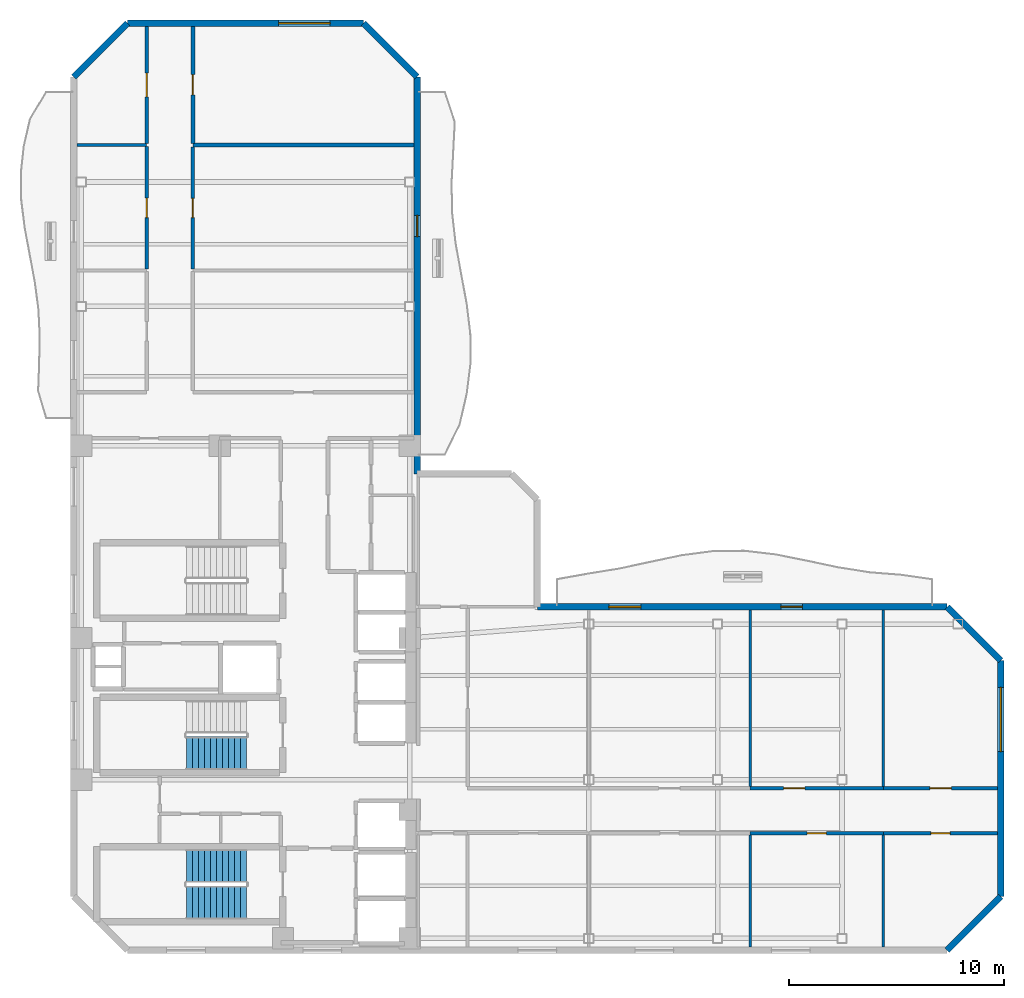
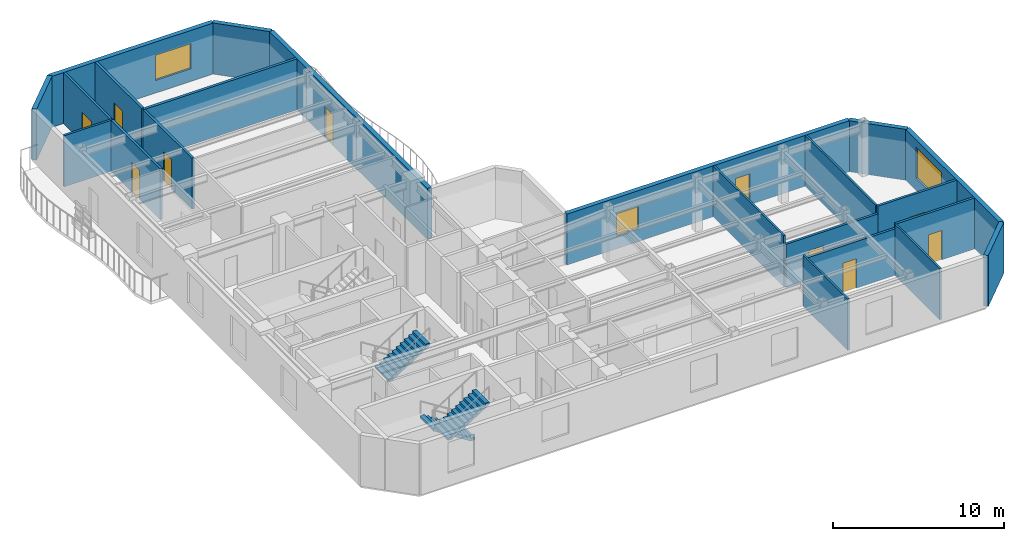
# One storey, part 5 of 9: 22 walls, 10 doors, 3 stair flights, 3 windows, 13 openings, 2 elements without a shape of their own.
"""IFC4 building model written with IfcOpenShell, lengths in metres."""

from ifc_helpers import new_model, si_unit, direction, frame, frame_2d, origin, place, context, subcontext, project, spatial, polyline, rectangle, outline, extrude, material, layer, layer_set, type_object, element, fill, aggregate, save


model = new_model("IFC4")

# Units and contexts
model_context = context("Model", 3, precision=1e-05, world=origin(), true_north=direction((0.0, 1.0)))
body_context = subcontext(model_context, "Body", "Model", "MODEL_VIEW")
ifc_project = project(units=[si_unit("LENGTHUNIT", "METRE"), si_unit("AREAUNIT", "SQUARE_METRE"), si_unit("VOLUMEUNIT", "CUBIC_METRE"), si_unit("PLANEANGLEUNIT", "RADIAN"), si_unit("MASSUNIT", "GRAM", prefix="KILO")], contexts=[model_context])

# Site, building, storey
site_placement = place(None, origin())
site = spatial("IfcSite", under=ifc_project, at=site_placement, CompositionType="ELEMENT")
building_placement = place(site_placement, origin())
building = spatial("IfcBuilding", under=site, at=building_placement, Name="Mawjaban Terraces University", CompositionType="ELEMENT")
storey_placement = place(building_placement, frame((0.0, 0.0, 234.300048828125)))
storey = spatial("IfcBuildingStorey", under=building, at=storey_placement, Name="L57", CompositionType="ELEMENT", Elevation=234.300048828125)

# Wall
ifc_material_1 = material(Name="Acoustic masonry blockwork", Category="masonry")
ifc_layer_1 = layer(ifc_material_1, 0.179931640625)
ifc_layer_set_1 = layer_set([ifc_layer_1], Name="Acoustic masonry blockwork")
wall_type_1 = type_object("IfcWallType", Name="AcousticStudioWall_180", PredefinedType="PARTITIONING", material=ifc_layer_set_1)
wall_1_placement = place(storey_placement, frame((37.85009765625, 37.52001953125, 0.0), z_axis=(0.0, 0.0, 1.0), x_axis=(-1.0, 0.0, 0.0)))
element("IfcWall", 1, at=wall_1_placement, inside=storey, type_object=wall_type_1, Name="L57 Reading Salon 13 Partition 18", PredefinedType="PARTITIONING", context=body_context, shape_type="SweptSolid", body=[
    extrude(rectangle(XDim=10.300048828125, YDim=0.179931640625, at=frame_2d((5.14990234375, 0.0))), origin(), (0.0, 0.0, 1.0), 3.639892578125),
])

# Wall, opening, door
wall_2_placement = place(storey_placement, frame((27.550048828125, 37.60498046875, 0.0), z_axis=(0.0, 0.0, 1.0), x_axis=(0.0, 1.0, 0.0)))
wall_2 = element("IfcWall", 2, at=wall_2_placement, inside=storey, type_object=wall_type_1, Name="L57 West Shifted Academic Corridor Partition 38", PredefinedType="PARTITIONING", context=body_context, shape_type="SweptSolid", body=[
    extrude(rectangle(XDim=5.449951171875, YDim=0.179931640625, at=frame_2d((2.72509765625, 0.0))), origin(), (0.0, 0.0, 1.0), 3.639892578125),
])
opening_1_placement = place(wall_2_placement, frame((2.25, 0.0, 0.0)))
opening_1 = element("IfcOpeningElement", 3, at=opening_1_placement, cuts=wall_2, Name="Opening ID-095", PredefinedType="OPENING", context=body_context, shape_type="SweptSolid", body=[
    extrude(rectangle(XDim=0.949951171875, YDim=2.10009765625, at=frame_2d((0.47509765625, 1.050048828125))), frame((0.0, 0.099853515625, 0.0), z_axis=(0.0, -1.0, 0.0), x_axis=(1.0, 0.0, 0.0)), (0.0, 0.0, 1.0), 0.199951171875),
])
ifc_material_2 = material(Name="Powder-coated steel frame and solid acoustic timber leaf", Category="steel")
door_type_1 = type_object("IfcDoorType", Name="StudioDoor_950x2100", OperationType="NOTDEFINED", PredefinedType="DOOR", material=ifc_material_2)
door_1_placement = place(opening_1_placement, origin())
door_1 = element("IfcDoor", 4, at=door_1_placement, inside=storey, type_object=door_type_1, Name="L57 Design Studio 15 Door", OperationType="SINGLE_SWING_LEFT", OverallHeight=2.10009765625, OverallWidth=0.949951171875, PredefinedType="DOOR", context=body_context, shape_type="SweptSolid", body=[
    extrude(rectangle(XDim=0.949951171875, YDim=2.10009765625, at=frame_2d((0.47509765625, 1.050048828125))), frame((0.0, 0.02490234375, 0.0), z_axis=(0.0, -1.0, 0.0), x_axis=(1.0, 0.0, 0.0)), (0.0, 0.0, 1.0), 0.050048828125),
])
fill(opening_1, door_1)

ifc_material_3 = material(Name="Fire-rated gypsum board on steel stud", Category="steel")
ifc_layer_2 = layer(ifc_material_3, 0.159912109375)
ifc_layer_set_2 = layer_set([ifc_layer_2], Name="Fire-rated gypsum board on steel stud")
wall_type_2 = type_object("IfcWallType", Name="CorridorPartition_160", PredefinedType="PARTITIONING", material=ifc_layer_set_2)
wall_3_placement = place(storey_placement, frame((53.52001953125, 5.449951171875, 0.0), z_axis=(0.0, 0.0, 1.0), x_axis=(1.0, 0.0, 0.0)))
wall_3 = element("IfcWall", 5, at=wall_3_placement, inside=storey, type_object=wall_type_2, Name="L57 South Shifted Academic Corridor Partition 25", PredefinedType="PARTITIONING", context=body_context, shape_type="SweptSolid", body=[
    extrude(rectangle(XDim=6.2099609375, YDim=0.159912109375, at=frame_2d((3.10498046875, 0.0))), origin(), (0.0, 0.0, 1.0), 3.322021484375),
])
opening_2_placement = place(wall_3_placement, frame((2.655029296875, 0.0, 0.0)))
opening_2 = element("IfcOpeningElement", 6, at=opening_2_placement, cuts=wall_3, Name="Opening ID-090", PredefinedType="OPENING", context=body_context, shape_type="SweptSolid", body=[
    extrude(rectangle(XDim=0.89990234375, YDim=2.10009765625, at=frame_2d((0.449951171875, 1.050048828125))), frame((0.0, 0.08984375, 0.0), z_axis=(0.0, -1.0, 0.0), x_axis=(1.0, 0.0, 0.0)), (0.0, 0.0, 1.0), 0.179931640625),
])
door_type_2 = type_object("IfcDoorType", Name="OfficeDoor_900x2100", OperationType="NOTDEFINED", PredefinedType="DOOR", material=ifc_material_2)
door_2_placement = place(opening_2_placement, origin())
door_2 = element("IfcDoor", 7, at=door_2_placement, inside=storey, type_object=door_type_2, Name="L57 Conference Room 6 Door", OperationType="SINGLE_SWING_RIGHT", OverallHeight=2.10009765625, OverallWidth=0.89990234375, PredefinedType="DOOR", context=body_context, shape_type="SweptSolid", body=[
    extrude(rectangle(XDim=0.89990234375, YDim=2.10009765625, at=frame_2d((0.449951171875, 1.050048828125))), frame((0.0, 0.02490234375, 0.0), z_axis=(0.0, -1.0, 0.0), x_axis=(1.0, 0.0, 0.0)), (0.0, 0.0, 1.0), 0.050048828125),
])
fill(opening_2, door_2)

wall_4_placement = place(storey_placement, frame((59.72998046875, 5.449951171875, 0.0), z_axis=(0.0, 0.0, 1.0), x_axis=(1.0, 0.0, 0.0)))
wall_4 = element("IfcWall", 8, at=wall_4_placement, inside=storey, type_object=wall_type_2, Name="L57 South Shifted Academic Corridor Partition 27", PredefinedType="PARTITIONING", context=body_context, shape_type="SweptSolid", body=[
    extrude(rectangle(XDim=5.324951171875, YDim=0.159912109375, at=frame_2d((2.66259765625, 0.0))), origin(), (0.0, 0.0, 1.0), 3.639892578125),
])
opening_3_placement = place(wall_4_placement, frame((2.212890625, 0.0, 0.0)))
opening_3 = element("IfcOpeningElement", 9, at=opening_3_placement, cuts=wall_4, Name="Opening ID-090", PredefinedType="OPENING", context=body_context, shape_type="SweptSolid", body=[
    extrude(rectangle(XDim=0.89990234375, YDim=2.10009765625, at=frame_2d((0.449951171875, 1.050048828125))), frame((0.0, 0.08984375, 0.0), z_axis=(0.0, -1.0, 0.0), x_axis=(1.0, 0.0, 0.0)), (0.0, 0.0, 1.0), 0.179931640625),
])
door_3_placement = place(opening_3_placement, origin())
door_3 = element("IfcDoor", 10, at=door_3_placement, inside=storey, type_object=door_type_2, Name="L57 Seminar Room 8 Door", OperationType="SINGLE_SWING_RIGHT", OverallHeight=2.10009765625, OverallWidth=0.89990234375, PredefinedType="DOOR", context=body_context, shape_type="SweptSolid", body=[
    extrude(rectangle(XDim=0.89990234375, YDim=2.10009765625, at=frame_2d((0.449951171875, 1.050048828125))), frame((0.0, 0.02490234375, 0.0), z_axis=(0.0, -1.0, 0.0), x_axis=(1.0, 0.0, 0.0)), (0.0, 0.0, 1.0), 0.050048828125),
])
fill(opening_3, door_3)

wall_5_placement = place(storey_placement, frame((59.72998046875, 7.550048828125, 0.0), z_axis=(0.0, 0.0, 1.0), x_axis=(-1.0, 0.0, 0.0)))
wall_5 = element("IfcWall", 11, at=wall_5_placement, inside=storey, type_object=wall_type_2, Name="L57 South Shifted Academic Corridor Partition 28", PredefinedType="PARTITIONING", context=body_context, shape_type="SweptSolid", body=[
    extrude(rectangle(XDim=6.2099609375, YDim=0.159912109375, at=frame_2d((3.10498046875, 0.0))), origin(), (0.0, 0.0, 1.0), 3.095947265625),
])
opening_4_placement = place(wall_5_placement, frame((3.655029296875, 0.0, 0.0)))
opening_4 = element("IfcOpeningElement", 12, at=opening_4_placement, cuts=wall_5, Name="Opening ID-100", PredefinedType="OPENING", context=body_context, shape_type="SweptSolid", body=[
    extrude(rectangle(XDim=1.0, YDim=2.10009765625, at=frame_2d((0.5, 1.050048828125))), frame((0.0, 0.08984375, 0.0), z_axis=(0.0, -1.0, 0.0), x_axis=(1.0, 0.0, 0.0)), (0.0, 0.0, 1.0), 0.179931640625),
])
door_type_3 = type_object("IfcDoorType", Name="ClassroomDoor_1000x2100", OperationType="NOTDEFINED", PredefinedType="DOOR", material=ifc_material_2)
door_4_placement = place(opening_4_placement, origin())
door_4 = element("IfcDoor", 13, at=door_4_placement, inside=storey, type_object=door_type_3, Name="L57 Classroom 7 Door", OperationType="SINGLE_SWING_LEFT", OverallHeight=2.10009765625, OverallWidth=1.0, PredefinedType="DOOR", context=body_context, shape_type="SweptSolid", body=[
    extrude(rectangle(XDim=1.0, YDim=2.10009765625, at=frame_2d((0.5, 1.050048828125))), frame((0.0, 0.02490234375, 0.0), z_axis=(0.0, -1.0, 0.0), x_axis=(1.0, 0.0, 0.0)), (0.0, 0.0, 1.0), 0.050048828125),
])
fill(opening_4, door_4)

wall_6_placement = place(storey_placement, frame((65.054931640625, 7.550048828125, 0.0), z_axis=(0.0, 0.0, 1.0), x_axis=(-1.0, 0.0, 0.0)))
wall_6 = element("IfcWall", 14, at=wall_6_placement, inside=storey, type_object=wall_type_2, Name="L57 South Shifted Academic Corridor Partition 29", PredefinedType="PARTITIONING", context=body_context, shape_type="SweptSolid", body=[
    extrude(rectangle(XDim=5.324951171875, YDim=0.159912109375, at=frame_2d((2.66259765625, 0.0))), origin(), (0.0, 0.0, 1.0), 3.639892578125),
])
opening_5_placement = place(wall_6_placement, frame((2.1630859375, 0.0, 0.0)))
opening_5 = element("IfcOpeningElement", 15, at=opening_5_placement, cuts=wall_6, Name="Opening ID-100", PredefinedType="OPENING", context=body_context, shape_type="SweptSolid", body=[
    extrude(rectangle(XDim=1.0, YDim=2.10009765625, at=frame_2d((0.5, 1.050048828125))), frame((0.0, 0.08984375, 0.0), z_axis=(0.0, -1.0, 0.0), x_axis=(1.0, 0.0, 0.0)), (0.0, 0.0, 1.0), 0.179931640625),
])
door_5_placement = place(opening_5_placement, origin())
door_5 = element("IfcDoor", 16, at=door_5_placement, inside=storey, type_object=door_type_3, Name="L57 Tutorial Room 9 Door", OperationType="SINGLE_SWING_LEFT", OverallHeight=2.10009765625, OverallWidth=1.0, PredefinedType="DOOR", context=body_context, shape_type="SweptSolid", body=[
    extrude(rectangle(XDim=1.0, YDim=2.10009765625, at=frame_2d((0.5, 1.050048828125))), frame((0.0, 0.02490234375, 0.0), z_axis=(0.0, -1.0, 0.0), x_axis=(1.0, 0.0, 0.0)), (0.0, 0.0, 1.0), 0.050048828125),
])
fill(opening_5, door_5)

wall_7_placement = place(storey_placement, frame((25.39990234375, 37.452880859375, 0.0), z_axis=(0.0, 0.0, 1.0), x_axis=(0.0, -1.0, 0.0)))
wall_7 = element("IfcWall", 17, at=wall_7_placement, inside=storey, type_object=wall_type_2, Name="L57 West Shifted Academic Corridor Partition 32", PredefinedType="PARTITIONING", context=body_context, shape_type="SweptSolid", body=[
    extrude(rectangle(XDim=5.71484375, YDim=0.159912109375, at=frame_2d((2.857421875, 0.0))), origin(), (0.0, 0.0, 1.0), 3.639892578125),
])
opening_6_placement = place(wall_7_placement, frame((2.407958984375, 0.0, 0.0)))
opening_6 = element("IfcOpeningElement", 18, at=opening_6_placement, cuts=wall_7, Name="Opening ID-090", PredefinedType="OPENING", context=body_context, shape_type="SweptSolid", body=[
    extrude(rectangle(XDim=0.89990234375, YDim=2.10009765625, at=frame_2d((0.449951171875, 1.050048828125))), frame((0.0, 0.08984375, 0.0), z_axis=(0.0, -1.0, 0.0), x_axis=(1.0, 0.0, 0.0)), (0.0, 0.0, 1.0), 0.179931640625),
])
door_6_placement = place(opening_6_placement, origin())
door_6 = element("IfcDoor", 19, at=door_6_placement, inside=storey, type_object=door_type_2, Name="L57 Quiet Reading Room 12 Door", OperationType="SINGLE_SWING_RIGHT", OverallHeight=2.10009765625, OverallWidth=0.89990234375, PredefinedType="DOOR", context=body_context, shape_type="SweptSolid", body=[
    extrude(rectangle(XDim=0.89990234375, YDim=2.10009765625, at=frame_2d((0.449951171875, 1.050048828125))), frame((0.0, 0.02490234375, 0.0), z_axis=(0.0, -1.0, 0.0), x_axis=(1.0, 0.0, 0.0)), (0.0, 0.0, 1.0), 0.050048828125),
])
fill(opening_6, door_6)

wall_8_placement = place(storey_placement, frame((27.550048828125, 31.738037109375, 0.0), z_axis=(0.0, 0.0, 1.0), x_axis=(0.0, 1.0, 0.0)))
wall_8 = element("IfcWall", 20, at=wall_8_placement, inside=storey, type_object=wall_type_2, Name="L57 West Shifted Academic Corridor Partition 37", PredefinedType="PARTITIONING", context=body_context, shape_type="SweptSolid", body=[
    extrude(rectangle(XDim=5.697021484375, YDim=0.159912109375, at=frame_2d((2.8486328125, 0.0))), origin(), (0.0, 0.0, 1.0), 3.639892578125),
])
opening_7_placement = place(wall_8_placement, frame((2.39892578125, 0.0, 0.0)))
opening_7 = element("IfcOpeningElement", 21, at=opening_7_placement, cuts=wall_8, Name="Opening ID-090", PredefinedType="OPENING", context=body_context, shape_type="SweptSolid", body=[
    extrude(rectangle(XDim=0.89990234375, YDim=2.10009765625, at=frame_2d((0.449951171875, 1.050048828125))), frame((0.0, 0.08984375, 0.0), z_axis=(0.0, -1.0, 0.0), x_axis=(1.0, 0.0, 0.0)), (0.0, 0.0, 1.0), 0.179931640625),
])
door_7_placement = place(opening_7_placement, origin())
door_7 = element("IfcDoor", 22, at=door_7_placement, inside=storey, type_object=door_type_2, Name="L57 Reading Salon 13 Door", OperationType="SINGLE_SWING_LEFT", OverallHeight=2.10009765625, OverallWidth=0.89990234375, PredefinedType="DOOR", context=body_context, shape_type="SweptSolid", body=[
    extrude(rectangle(XDim=0.89990234375, YDim=2.10009765625, at=frame_2d((0.449951171875, 1.050048828125))), frame((0.0, 0.02490234375, 0.0), z_axis=(0.0, -1.0, 0.0), x_axis=(1.0, 0.0, 0.0)), (0.0, 0.0, 1.0), 0.050048828125),
])
fill(opening_7, door_7)

# Wall
ifc_material_4 = material(Name="Insulated terracotta rainscreen on concrete backup C40/50", Category="masonry")
ifc_layer_3 = layer(ifc_material_4, 0.300048828125)
ifc_layer_set_3 = layer_set([ifc_layer_3], Name="Insulated terracotta rainscreen on concrete backup C40/50")
wall_type_3 = type_object("IfcWallType", Name="ExtTerracottaWall_300", PredefinedType="SOLIDWALL", material=ifc_layer_set_3)
wall_9_placement = place(storey_placement, frame((62.699951171875, 0.0, 0.0), z_axis=(0.0, 0.0, 1.0), x_axis=(0.707106781187, 0.707106781187, 0.0)))
element("IfcWall", 23, at=wall_9_placement, inside=storey, type_object=wall_type_3, Name="L57 Exterior Terracotta Wall 2", PredefinedType="SOLIDWALL", context=body_context, shape_type="SweptSolid", body=[
    extrude(rectangle(XDim=3.53564453125, YDim=0.300048828125, at=frame_2d((1.767822265625, 0.0))), origin(), (0.0, 0.0, 1.0), 3.639892578125),
])

# Wall, opening, window
wall_10_placement = place(storey_placement, frame((65.199951171875, 2.5, 0.0), z_axis=(0.0, 0.0, 1.0), x_axis=(0.0, 1.0, 0.0)))
wall_10 = element("IfcWall", 24, at=wall_10_placement, inside=storey, type_object=wall_type_3, Name="L57 Exterior Terracotta Wall 3", PredefinedType="SOLIDWALL", context=body_context, shape_type="SweptSolid", body=[
    extrude(rectangle(XDim=11.0, YDim=0.300048828125, at=frame_2d((5.5, 0.0))), origin(), (0.0, 0.0, 1.0), 3.639892578125),
])
opening_8_placement = place(wall_10_placement, frame((6.75, 0.0, 0.89990234375)))
opening_8 = element("IfcOpeningElement", 25, at=opening_8_placement, cuts=wall_10, Name="Opening W-12", PredefinedType="OPENING", context=body_context, shape_type="SweptSolid", body=[
    extrude(rectangle(XDim=3.0, YDim=2.199951171875, at=frame_2d((1.5, 1.10009765625))), frame((0.0, 0.159912109375, 0.0), z_axis=(0.0, -1.0, 0.0), x_axis=(1.0, 0.0, 0.0)), (0.0, 0.0, 1.0), 0.320068359375),
])
ifc_material_5 = material(Name="Low-E solar-control double glazing in thermally broken aluminium frame", Category="aluminium")
window_type_1 = type_object("IfcWindowType", Name="Win_3000x2200", PartitioningType="SINGLE_PANEL", PredefinedType="WINDOW", material=ifc_material_5)
window_1_placement = place(opening_8_placement, origin())
window_1 = element("IfcWindow", 26, at=window_1_placement, inside=storey, type_object=window_type_1, Name="L57 Facade Window 3.2", OverallHeight=2.199951171875, OverallWidth=3.0, PartitioningType="SINGLE_PANEL", PredefinedType="WINDOW", context=body_context, shape_type="SweptSolid", body=[
    extrude(rectangle(XDim=3.0, YDim=2.199951171875, at=frame_2d((1.5, 1.10009765625))), frame((0.0, 0.030029296875, 0.0), z_axis=(0.0, -1.0, 0.0), x_axis=(1.0, 0.0, 0.0)), (0.0, 0.0, 1.0), 0.06005859375),
])
fill(opening_8, window_1)

# Wall
wall_11_placement = place(storey_placement, frame((65.199951171875, 13.5, 0.0), z_axis=(0.0, 0.0, 1.0), x_axis=(-0.707106781187, 0.707106781187, 0.0)))
element("IfcWall", 27, at=wall_11_placement, inside=storey, type_object=wall_type_3, Name="L57 Exterior Terracotta Wall 4", PredefinedType="SOLIDWALL", context=body_context, shape_type="SweptSolid", body=[
    extrude(rectangle(XDim=3.53564453125, YDim=0.300048828125, at=frame_2d((1.767822265625, 0.0))), origin(), (0.0, 0.0, 1.0), 3.639892578125),
])

# Wall, openings, door, window
wall_12_placement = place(storey_placement, frame((62.699951171875, 16.0, 0.0), z_axis=(0.0, 0.0, 1.0), x_axis=(-1.0, 0.0, 0.0)))
wall_12 = element("IfcWall", 28, at=wall_12_placement, inside=storey, type_object=wall_type_3, Name="L57 Exterior Terracotta Wall 5", PredefinedType="SOLIDWALL", context=body_context, shape_type="SweptSolid", body=[
    extrude(rectangle(XDim=19.099853515625, YDim=0.300048828125, at=frame_2d((9.5498046875, 0.0))), origin(), (0.0, 0.0, 1.0), 3.639892578125),
])
opening_9_placement = place(wall_12_placement, frame((6.75, 0.0, 0.0)))
opening_9 = element("IfcOpeningElement", 29, at=opening_9_placement, cuts=wall_12, Name="Opening BD-100", PredefinedType="OPENING", context=body_context, shape_type="SweptSolid", body=[
    extrude(rectangle(XDim=1.0, YDim=2.199951171875, at=frame_2d((0.5, 1.10009765625))), frame((0.0, 0.159912109375, 0.0), z_axis=(0.0, -1.0, 0.0), x_axis=(1.0, 0.0, 0.0)), (0.0, 0.0, 1.0), 0.320068359375),
])
opening_10_placement = place(wall_12_placement, frame((14.26708984375, 0.0, 0.89990234375)))
opening_10 = element("IfcOpeningElement", 30, at=opening_10_placement, cuts=wall_12, Name="Opening W-02", PredefinedType="OPENING", context=body_context, shape_type="SweptSolid", body=[
    extrude(rectangle(XDim=1.5, YDim=1.60009765625, at=frame_2d((0.75, 0.800048828125))), frame((0.0, 0.159912109375, 0.0), z_axis=(0.0, -1.0, 0.0), x_axis=(1.0, 0.0, 0.0)), (0.0, 0.0, 1.0), 0.320068359375),
])
ifc_material_6 = material(Name="Thermally broken anodised aluminium and laminated safety glass", Category="aluminium")
door_type_4 = type_object("IfcDoorType", Name="BalconyGlazedDoor_1000x2200", OperationType="NOTDEFINED", PredefinedType="DOOR", material=ifc_material_6)
door_8_placement = place(opening_9_placement, origin())
door_8 = element("IfcDoor", 31, at=door_8_placement, inside=storey, type_object=door_type_4, Name="L57 Balcony Access Door inner_north", OperationType="SINGLE_SWING_RIGHT", OverallHeight=2.199951171875, OverallWidth=1.0, PredefinedType="DOOR", context=body_context, shape_type="SweptSolid", body=[
    extrude(rectangle(XDim=1.0, YDim=2.199951171875, at=frame_2d((0.5, 1.10009765625))), frame((0.0, 0.02490234375, 0.0), z_axis=(0.0, -1.0, 0.0), x_axis=(1.0, 0.0, 0.0)), (0.0, 0.0, 1.0), 0.050048828125),
])
fill(opening_9, door_8)
window_type_2 = type_object("IfcWindowType", Name="Win_1500x1600", PartitioningType="SINGLE_PANEL", PredefinedType="WINDOW", material=ifc_material_5)
window_2_placement = place(opening_10_placement, origin())
window_2 = element("IfcWindow", 32, at=window_2_placement, inside=storey, type_object=window_type_2, Name="L57 Facade Window 5.3", OverallHeight=1.60009765625, OverallWidth=1.5, PartitioningType="SINGLE_PANEL", PredefinedType="WINDOW", context=body_context, shape_type="SweptSolid", body=[
    extrude(rectangle(XDim=1.5, YDim=1.60009765625, at=frame_2d((0.75, 0.800048828125))), frame((0.0, 0.030029296875, 0.0), z_axis=(0.0, -1.0, 0.0), x_axis=(1.0, 0.0, 0.0)), (0.0, 0.0, 1.0), 0.06005859375),
])
fill(opening_10, window_2)

# Wall, opening, door
wall_13_placement = place(storey_placement, frame((38.0, 22.199951171875, 0.0), z_axis=(0.0, 0.0, 1.0), x_axis=(0.0, 1.0, 0.0)))
wall_13 = element("IfcWall", 33, at=wall_13_placement, inside=storey, type_object=wall_type_3, Name="L57 Exterior Terracotta Wall 9", PredefinedType="SOLIDWALL", context=body_context, shape_type="SweptSolid", body=[
    extrude(rectangle(XDim=18.5, YDim=0.300048828125, at=frame_2d((9.25, 0.0))), origin(), (0.0, 0.0, 1.0), 3.639892578125),
])
opening_11_placement = place(wall_13_placement, frame((11.050048828125, 0.0, 0.0)))
opening_11 = element("IfcOpeningElement", 34, at=opening_11_placement, cuts=wall_13, Name="Opening BD-100", PredefinedType="OPENING", context=body_context, shape_type="SweptSolid", body=[
    extrude(rectangle(XDim=1.0, YDim=2.199951171875, at=frame_2d((0.5, 1.10009765625))), frame((0.0, 0.159912109375, 0.0), z_axis=(0.0, -1.0, 0.0), x_axis=(1.0, 0.0, 0.0)), (0.0, 0.0, 1.0), 0.320068359375),
])
door_9_placement = place(opening_11_placement, origin())
door_9 = element("IfcDoor", 35, at=door_9_placement, inside=storey, type_object=door_type_4, Name="L57 Balcony Access Door inner_east", OperationType="SINGLE_SWING_RIGHT", OverallHeight=2.199951171875, OverallWidth=1.0, PredefinedType="DOOR", context=body_context, shape_type="SweptSolid", body=[
    extrude(rectangle(XDim=1.0, YDim=2.199951171875, at=frame_2d((0.5, 1.10009765625))), frame((0.0, 0.02490234375, 0.0), z_axis=(0.0, -1.0, 0.0), x_axis=(1.0, 0.0, 0.0)), (0.0, 0.0, 1.0), 0.050048828125),
])
fill(opening_11, door_9)

# Wall
wall_14_placement = place(storey_placement, frame((38.0, 40.699951171875, 0.0), z_axis=(0.0, 0.0, 1.0), x_axis=(-0.707106781187, 0.707106781187, 0.0)))
element("IfcWall", 36, at=wall_14_placement, inside=storey, type_object=wall_type_3, Name="L57 Exterior Terracotta Wall 10", PredefinedType="SOLIDWALL", context=body_context, shape_type="SweptSolid", body=[
    extrude(rectangle(XDim=3.53564453125, YDim=0.300048828125, at=frame_2d((1.767822265625, 0.0))), origin(), (0.0, 0.0, 1.0), 3.639892578125),
])

# Wall, opening, window
wall_15_placement = place(storey_placement, frame((35.5, 43.199951171875, 0.0), z_axis=(0.0, 0.0, 1.0), x_axis=(-1.0, 0.0, 0.0)))
wall_15 = element("IfcWall", 37, at=wall_15_placement, inside=storey, type_object=wall_type_3, Name="L57 Exterior Terracotta Wall 11", PredefinedType="SOLIDWALL", context=body_context, shape_type="SweptSolid", body=[
    extrude(rectangle(XDim=11.0, YDim=0.300048828125, at=frame_2d((5.5, 0.0))), origin(), (0.0, 0.0, 1.0), 3.639892578125),
])
opening_12_placement = place(wall_15_placement, frame((1.550048828125, 0.0, 0.89990234375)))
opening_12 = element("IfcOpeningElement", 38, at=opening_12_placement, cuts=wall_15, Name="Opening W-08", PredefinedType="OPENING", context=body_context, shape_type="SweptSolid", body=[
    extrude(rectangle(XDim=2.39990234375, YDim=1.800048828125, at=frame_2d((1.199951171875, 0.89990234375))), frame((0.0, 0.159912109375, 0.0), z_axis=(0.0, -1.0, 0.0), x_axis=(1.0, 0.0, 0.0)), (0.0, 0.0, 1.0), 0.320068359375),
])
window_type_3 = type_object("IfcWindowType", Name="Win_2400x1800", PartitioningType="SINGLE_PANEL", PredefinedType="WINDOW", material=ifc_material_5)
window_3_placement = place(opening_12_placement, origin())
window_3 = element("IfcWindow", 39, at=window_3_placement, inside=storey, type_object=window_type_3, Name="L57 Facade Window 11.1", OverallHeight=1.800048828125, OverallWidth=2.39990234375, PartitioningType="SINGLE_PANEL", PredefinedType="WINDOW", context=body_context, shape_type="SweptSolid", body=[
    extrude(rectangle(XDim=2.39990234375, YDim=1.800048828125, at=frame_2d((1.199951171875, 0.89990234375))), frame((0.0, 0.030029296875, 0.0), z_axis=(0.0, -1.0, 0.0), x_axis=(1.0, 0.0, 0.0)), (0.0, 0.0, 1.0), 0.06005859375),
])
fill(opening_12, window_3)

# Walls
wall_16_placement = place(storey_placement, frame((24.5, 43.199951171875, 0.0), z_axis=(0.0, 0.0, 1.0), x_axis=(-0.707106781187, -0.707106781187, 0.0)))
element("IfcWall", 40, at=wall_16_placement, inside=storey, type_object=wall_type_3, Name="L57 Exterior Terracotta Wall 12", PredefinedType="SOLIDWALL", context=body_context, shape_type="SweptSolid", body=[
    extrude(rectangle(XDim=3.53564453125, YDim=0.300048828125, at=frame_2d((1.767822265625, 0.0))), origin(), (0.0, 0.0, 1.0), 3.639892578125),
])
ifc_material_7 = material(Name="Moisture-resistant gypsum board on steel stud", Category="steel")
ifc_layer_4 = layer(ifc_material_7, 0.14501953125)
ifc_layer_set_4 = layer_set([ifc_layer_4], Name="Moisture-resistant gypsum board on steel stud")
wall_type_4 = type_object("IfcWallType", Name="LabPartition_145", PredefinedType="PARTITIONING", material=ifc_layer_set_4)
wall_17_placement = place(storey_placement, frame((25.39990234375, 37.52001953125, 0.0), z_axis=(0.0, 0.0, 1.0), x_axis=(-1.0, 0.0, 0.0)))
element("IfcWall", 41, at=wall_17_placement, inside=storey, type_object=wall_type_4, Name="L57 Quiet Reading Room 12 Partition 5", PredefinedType="PARTITIONING", context=body_context, shape_type="SweptSolid", body=[
    extrude(rectangle(XDim=3.2548828125, YDim=0.14501953125, at=frame_2d((1.62744140625, 0.0))), origin(), (0.0, 0.0, 1.0), 3.639892578125),
])

# Wall, opening, door
wall_18_placement = place(storey_placement, frame((25.39990234375, 43.054931640625, 0.0), z_axis=(0.0, 0.0, 1.0), x_axis=(0.0, -1.0, 0.0)))
wall_18 = element("IfcWall", 42, at=wall_18_placement, inside=storey, type_object=wall_type_4, Name="L57 West Shifted Academic Corridor Partition 33", PredefinedType="PARTITIONING", context=body_context, shape_type="SweptSolid", body=[
    extrude(rectangle(XDim=5.467041015625, YDim=0.14501953125, at=frame_2d((2.7333984375, 0.0))), origin(), (0.0, 0.0, 1.0), 3.639892578125),
])
opening_13_placement = place(wall_18_placement, frame((2.18310546875, 0.0, 0.0)))
opening_13 = element("IfcOpeningElement", 43, at=opening_13_placement, cuts=wall_18, Name="Opening ID-110", PredefinedType="OPENING", context=body_context, shape_type="SweptSolid", body=[
    extrude(rectangle(XDim=1.10009765625, YDim=2.14990234375, at=frame_2d((0.550048828125, 1.074951171875))), frame((0.0, 0.08251953125, 0.0), z_axis=(0.0, -1.0, 0.0), x_axis=(1.0, 0.0, 0.0)), (0.0, 0.0, 1.0), 0.1650390625),
])
door_type_5 = type_object("IfcDoorType", Name="LabDoor_1100x2150", OperationType="NOTDEFINED", PredefinedType="DOOR", material=ifc_material_2)
door_10_placement = place(opening_13_placement, origin())
door_10 = element("IfcDoor", 44, at=door_10_placement, inside=storey, type_object=door_type_5, Name="L57 Teaching Laboratory 14 Door", OperationType="SINGLE_SWING_RIGHT", OverallHeight=2.14990234375, OverallWidth=1.10009765625, PredefinedType="DOOR", context=body_context, shape_type="SweptSolid", body=[
    extrude(rectangle(XDim=1.10009765625, YDim=2.14990234375, at=frame_2d((0.550048828125, 1.074951171875))), frame((0.0, 0.02490234375, 0.0), z_axis=(0.0, -1.0, 0.0), x_axis=(1.0, 0.0, 0.0)), (0.0, 0.0, 1.0), 0.050048828125),
])
fill(opening_13, door_10)

# Walls
ifc_material_8 = material(Name="Gypsum plasterboard on steel stud", Category="steel")
ifc_layer_5 = layer(ifc_material_8, 0.125)
ifc_layer_set_5 = layer_set([ifc_layer_5], Name="Gypsum plasterboard on steel stud")
wall_type_5 = type_object("IfcWallType", Name="OfficePartition_125", PredefinedType="PARTITIONING", material=ifc_layer_set_5)
wall_19_placement = place(storey_placement, frame((53.52001953125, 0.14501953125, 0.0), z_axis=(0.0, 0.0, 1.0), x_axis=(0.0, 1.0, 0.0)))
element("IfcWall", 45, at=wall_19_placement, inside=storey, type_object=wall_type_5, Name="L57 Seminar Room 4 Partition 55", PredefinedType="PARTITIONING", context=body_context, shape_type="SweptSolid", body=[
    extrude(rectangle(XDim=5.22998046875, YDim=0.125, at=frame_2d((2.614990234375, 0.0))), origin(), (0.0, 0.0, 1.0), 3.639892578125),
])
wall_20_placement = place(storey_placement, frame((53.52001953125, 7.625, 0.0), z_axis=(0.0, 0.0, 1.0), x_axis=(0.0, 1.0, 0.0)))
element("IfcWall", 46, at=wall_20_placement, inside=storey, type_object=wall_type_5, Name="L57 Tutorial Room 5 Partition 56", PredefinedType="PARTITIONING", context=body_context, shape_type="SweptSolid", body=[
    extrude(rectangle(XDim=8.22998046875, YDim=0.125, at=frame_2d((4.114990234375, 0.0))), origin(), (0.0, 0.0, 1.0), 3.639892578125),
])
wall_21_placement = place(storey_placement, frame((59.72998046875, 0.14501953125, 0.0), z_axis=(0.0, 0.0, 1.0), x_axis=(0.0, 1.0, 0.0)))
element("IfcWall", 47, at=wall_21_placement, inside=storey, type_object=wall_type_5, Name="L57 Conference Room 6 Partition 57", PredefinedType="PARTITIONING", context=body_context, shape_type="SweptSolid", body=[
    extrude(rectangle(XDim=5.22998046875, YDim=0.125, at=frame_2d((2.614990234375, 0.0))), origin(), (0.0, 0.0, 1.0), 3.639892578125),
])
wall_22_placement = place(storey_placement, frame((59.72998046875, 7.625, 0.0), z_axis=(0.0, 0.0, 1.0), x_axis=(0.0, 1.0, 0.0)))
element("IfcWall", 48, at=wall_22_placement, inside=storey, type_object=wall_type_5, Name="L57 Classroom 7 Partition 58", PredefinedType="PARTITIONING", context=body_context, shape_type="SweptSolid", body=[
    extrude(rectangle(XDim=8.22998046875, YDim=0.125, at=frame_2d((4.114990234375, 0.0))), origin(), (0.0, 0.0, 1.0), 3.639892578125),
])

# Stair, stair flights
ifc_material_9 = material(Name="Concrete C40/50", Category="concrete")
stair_type = type_object("IfcStairType", Name="Stair_Core1550_H39", PredefinedType="HALF_TURN_STAIR", material=ifc_material_9)
stair_1_placement = place(storey_placement, origin())
stair_1 = element("IfcStair", 49, at=stair_1_placement, inside=storey, type_object=stair_type, Name="L57 Core Exit Stair 1", PredefinedType="HALF_TURN_STAIR")
stair_flight_type = type_object("IfcStairFlightType", Name="Flight_Core1550_H39", PredefinedType="STRAIGHT", material=ifc_material_9)
stair_flight_1_placement = place(storey_placement, frame((30.050048828125, 3.925048828125, 0.0), z_axis=(0.0, 0.0, 1.0), x_axis=(-1.0, 0.0, 0.0)))
stair_flight_1 = element("IfcStairFlight", 50, at=stair_flight_1_placement, type_object=stair_flight_type, Name="ST-1 flight 1", NumberOfRisers=11, NumberOfTreads=10, PredefinedType="STRAIGHT", RiserHeight=0.177272727, TreadLength=0.28, context=body_context, shape_type="SweptSolid", body=[
    extrude(outline(polyline([(0.0, 0.0), (0.0, 0.17724609375), (0.280029296875, 0.17724609375), (0.280029296875, 0.3544921875), (0.56005859375, 0.3544921875), (0.56005859375, 0.53173828125), (0.840087890625, 0.53173828125), (0.840087890625, 0.708984375), (1.1201171875, 0.708984375), (1.1201171875, 0.886474609375), (1.39990234375, 0.886474609375), (1.39990234375, 1.063720703125), (1.679931640625, 1.063720703125), (1.679931640625, 1.240966796875), (1.9599609375, 1.240966796875), (1.9599609375, 1.418212890625), (2.239990234375, 1.418212890625), (2.239990234375, 1.595458984375), (2.52001953125, 1.595458984375), (2.52001953125, 1.772705078125), (2.800048828125, 1.772705078125), (2.800048828125, 1.949951171875), (2.800048828125, 1.59521484375), (0.2802734375, 0.0), (0.0, 0.0)])), frame((0.0, 0.77490234375, 0.0), z_axis=(0.0, -1.0, 0.0), x_axis=(1.0, 0.0, 0.0)), (0.0, 0.0, 1.0), 1.550048828125),
])
stair_flight_2_placement = place(storey_placement, frame((27.25, 2.22509765625, 1.949951171875), z_axis=(0.0, 0.0, 1.0), x_axis=(1.0, 0.0, 0.0)))
stair_flight_2 = element("IfcStairFlight", 51, at=stair_flight_2_placement, type_object=stair_flight_type, Name="ST-1 flight 2", NumberOfRisers=11, NumberOfTreads=10, PredefinedType="STRAIGHT", RiserHeight=0.177272727, TreadLength=0.28, context=body_context, shape_type="SweptSolid", body=[
    extrude(outline(polyline([(0.0, 0.0), (0.0, 0.17724609375), (0.280029296875, 0.17724609375), (0.280029296875, 0.3544921875), (0.56005859375, 0.3544921875), (0.56005859375, 0.53173828125), (0.840087890625, 0.53173828125), (0.840087890625, 0.708984375), (1.1201171875, 0.708984375), (1.1201171875, 0.886474609375), (1.39990234375, 0.886474609375), (1.39990234375, 1.063720703125), (1.679931640625, 1.063720703125), (1.679931640625, 1.240966796875), (1.9599609375, 1.240966796875), (1.9599609375, 1.418212890625), (2.239990234375, 1.418212890625), (2.239990234375, 1.595458984375), (2.52001953125, 1.595458984375), (2.52001953125, 1.772705078125), (2.800048828125, 1.772705078125), (2.800048828125, 1.949951171875), (2.800048828125, 1.59521484375), (0.2802734375, 0.0), (0.0, 0.0)])), frame((0.0, 0.77490234375, 0.0), z_axis=(0.0, -1.0, 0.0), x_axis=(1.0, 0.0, 0.0)), (0.0, 0.0, 1.0), 1.550048828125),
])
aggregate(stair_1, [stair_flight_1, stair_flight_2])

# Stair, stair flight
stair_2_placement = place(storey_placement, origin())
stair_2 = element("IfcStair", 52, at=stair_2_placement, inside=storey, type_object=stair_type, Name="L57 Core Exit Stair 3", PredefinedType="HALF_TURN_STAIR")
stair_flight_3_placement = place(storey_placement, frame((27.25, 9.175048828125, 1.949951171875), z_axis=(0.0, 0.0, 1.0), x_axis=(1.0, 0.0, 0.0)))
stair_flight_3 = element("IfcStairFlight", 53, at=stair_flight_3_placement, type_object=stair_flight_type, Name="ST-3 flight 2", NumberOfRisers=11, NumberOfTreads=10, PredefinedType="STRAIGHT", RiserHeight=0.177272727, TreadLength=0.28, context=body_context, shape_type="SweptSolid", body=[
    extrude(outline(polyline([(0.0, 0.0), (0.0, 0.17724609375), (0.280029296875, 0.17724609375), (0.280029296875, 0.3544921875), (0.56005859375, 0.3544921875), (0.56005859375, 0.53173828125), (0.840087890625, 0.53173828125), (0.840087890625, 0.708984375), (1.1201171875, 0.708984375), (1.1201171875, 0.886474609375), (1.39990234375, 0.886474609375), (1.39990234375, 1.063720703125), (1.679931640625, 1.063720703125), (1.679931640625, 1.240966796875), (1.9599609375, 1.240966796875), (1.9599609375, 1.418212890625), (2.239990234375, 1.418212890625), (2.239990234375, 1.595458984375), (2.52001953125, 1.595458984375), (2.52001953125, 1.772705078125), (2.800048828125, 1.772705078125), (2.800048828125, 1.949951171875), (2.800048828125, 1.59521484375), (0.2802734375, 0.0), (0.0, 0.0)])), frame((0.0, 0.77490234375, 0.0), z_axis=(0.0, -1.0, 0.0), x_axis=(1.0, 0.0, 0.0)), (0.0, 0.0, 1.0), 1.550048828125),
])
aggregate(stair_2, [stair_flight_3])

save(model, "model.ifc")
